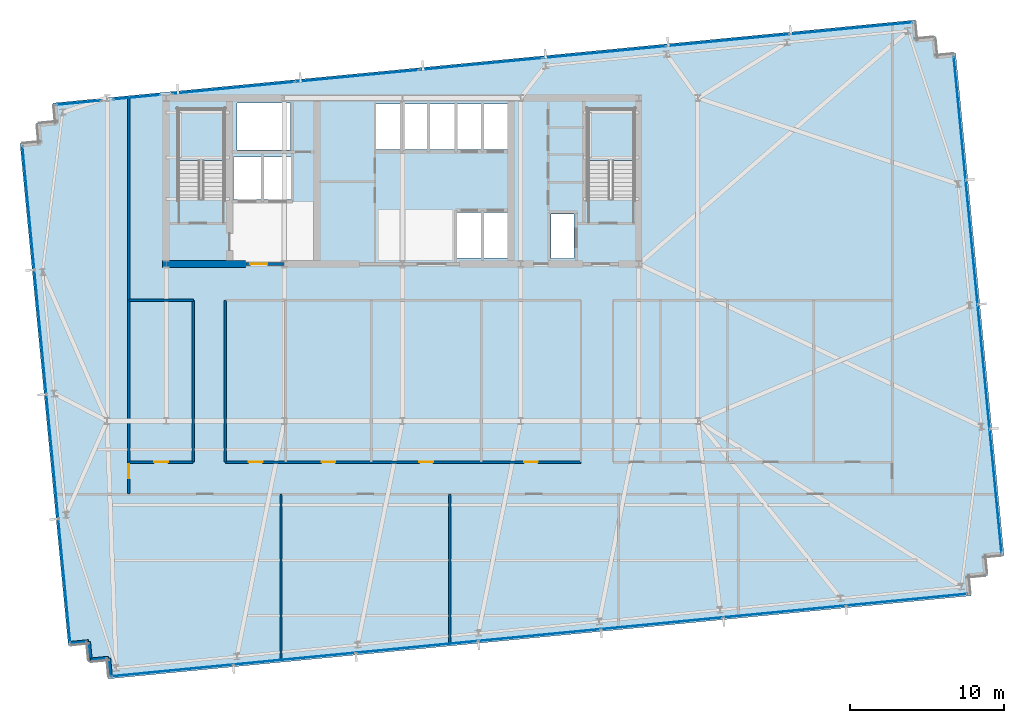
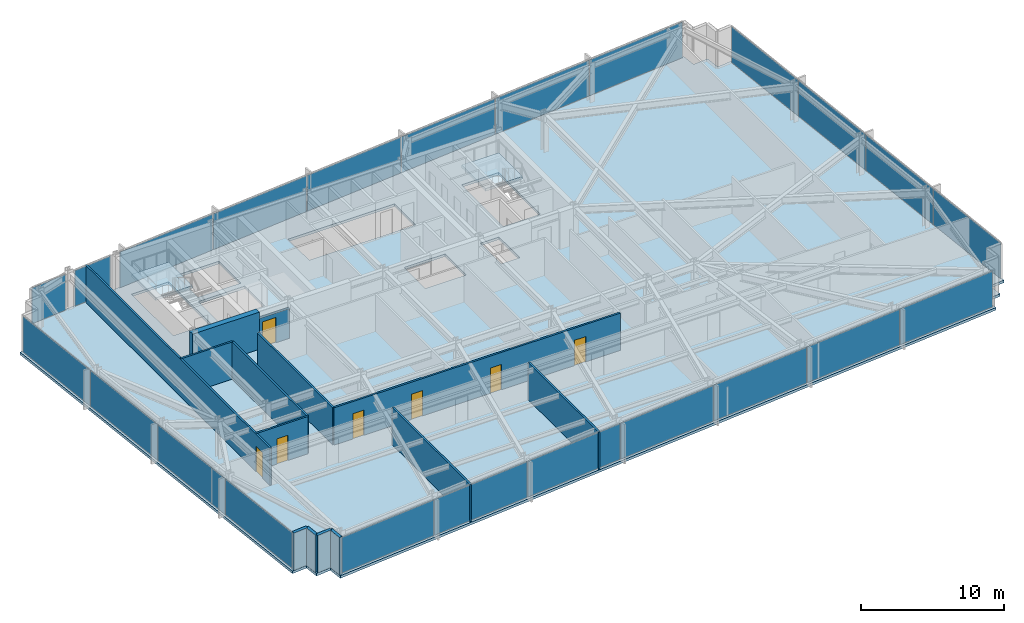
# One storey, part 24 of 33: 23 plates, 14 walls, 7 doors, 3 slabs, 7 openings, 8 elements without a shape of their own.
"""IFC4 building model written with IfcOpenShell, lengths in metres."""

from ifc_helpers import new_model, si_unit, direction, frame, frame_2d, origin, origin_2d, place, context, subcontext, project, spatial, polyline, rectangle, outline, extrude, material, layer, layer_set, type_object, element, fill, aggregate, save


model = new_model("IFC4")

# Units and contexts
model_context = context("Model", 3, precision=1e-05, world=origin(), true_north=direction((0.0, 1.0)))
body_context = subcontext(model_context, "Body", "Model", "MODEL_VIEW")
ifc_project = project(units=[si_unit("LENGTHUNIT", "METRE"), si_unit("AREAUNIT", "SQUARE_METRE"), si_unit("VOLUMEUNIT", "CUBIC_METRE"), si_unit("PLANEANGLEUNIT", "RADIAN"), si_unit("MASSUNIT", "GRAM", prefix="KILO")], contexts=[model_context])

# Site, building, storey
site_placement = place(None, origin())
site = spatial("IfcSite", under=ifc_project, at=site_placement, CompositionType="ELEMENT")
building_placement = place(site_placement, origin())
building = spatial("IfcBuilding", under=site, at=building_placement, Name="Yelkora Congress Tower", CompositionType="ELEMENT")
storey_placement = place(building_placement, frame((0.0, 0.0, 123.699951171875)))
storey = spatial("IfcBuildingStorey", under=building, at=storey_placement, Name="L33", CompositionType="ELEMENT", Elevation=123.699951171875)

# Curtain wall, plates
ifc_material_1 = material(Name="Anodised aluminium and insulated glass", Category="aluminium")
curtain_wall_type = type_object("IfcCurtainWallType", Name="CW-SYS-B2", PredefinedType="NOTDEFINED", material=ifc_material_1)
curtain_wall_1_placement = place(storey_placement, origin())
curtain_wall_1 = element("IfcCurtainWall", 1, at=curtain_wall_1_placement, inside=storey, type_object=curtain_wall_type, Name="L33 Unitised Curtain Wall 5", PredefinedType="NOTDEFINED")
ifc_material_2 = material(Name="Solar-control low-E glass unit B2", Category="glass")
ifc_layer_1 = layer(ifc_material_2, 0.0380859375)
ifc_layer_set_1 = layer_set([ifc_layer_1], Name="Solar-control low-E glass unit B2")
plate_type = type_object("IfcPlateType", Name="PLT-PN-B2", PredefinedType="CURTAIN_PANEL", material=ifc_layer_set_1)
plate_1_placement = place(storey_placement, frame((16.41650390625, 14.820068359375, 0.06494140625), z_axis=(0.0, 0.0, 1.0), x_axis=(-0.095842541913, 0.995396507508, 0.0)))
plate_1 = element("IfcPlate", 2, at=plate_1_placement, type_object=plate_type, Name="CW-B2 panel 1.1", PredefinedType="CURTAIN_PANEL", context=body_context, shape_type="SweptSolid", body=[
    extrude(rectangle(XDim=8.02490234375, YDim=0.0380859375, at=origin_2d()), origin(), (0.0, 0.0, 1.0), 3.050048828125),
])
plate_2_placement = place(storey_placement, frame((15.638916015625, 22.895263671875, 0.06494140625), z_axis=(0.0, 0.0, 1.0), x_axis=(-0.095842541913, 0.995396507508, 0.0)))
plate_2 = element("IfcPlate", 3, at=plate_2_placement, type_object=plate_type, Name="CW-B2 panel 2.1", PredefinedType="CURTAIN_PANEL", context=body_context, shape_type="SweptSolid", body=[
    extrude(rectangle(XDim=8.06005859375, YDim=0.0380859375, at=origin_2d()), origin(), (0.0, 0.0, 1.0), 3.050048828125),
])
plate_3_placement = place(storey_placement, frame((14.859619140625, 30.98779296875, 0.06494140625), z_axis=(0.0, 0.0, 1.0), x_axis=(-0.095842541913, 0.995396507508, 0.0)))
plate_3 = element("IfcPlate", 4, at=plate_3_placement, type_object=plate_type, Name="CW-B2 panel 3.1", PredefinedType="CURTAIN_PANEL", context=body_context, shape_type="SweptSolid", body=[
    extrude(rectangle(XDim=8.06005859375, YDim=0.0380859375, at=origin_2d()), origin(), (0.0, 0.0, 1.0), 3.050048828125),
])
plate_4_placement = place(storey_placement, frame((14.082275390625, 39.06298828125, 0.06494140625), z_axis=(0.0, 0.0, 1.0), x_axis=(-0.095842541913, 0.995396507508, 0.0)))
plate_4 = element("IfcPlate", 5, at=plate_4_placement, type_object=plate_type, Name="CW-B2 panel 4.1", PredefinedType="CURTAIN_PANEL", context=body_context, shape_type="SweptSolid", body=[
    extrude(rectangle(XDim=8.02490234375, YDim=0.0380859375, at=origin_2d()), origin(), (0.0, 0.0, 1.0), 3.050048828125),
])
aggregate(curtain_wall_1, [plate_1, plate_2, plate_3, plate_4])

# Curtain wall, plate
curtain_wall_2_placement = place(storey_placement, origin())
curtain_wall_2 = element("IfcCurtainWall", 6, at=curtain_wall_2_placement, inside=storey, type_object=curtain_wall_type, Name="L33 Unitised Curtain Wall 10 (1)", PredefinedType="NOTDEFINED")
plate_5_placement = place(storey_placement, frame((17.35888671875, 45.89111328125, 0.06494140625), z_axis=(0.0, 0.0, 1.0), x_axis=(0.99539681521, 0.095839346142, 0.0)))
plate_5 = element("IfcPlate", 7, at=plate_5_placement, type_object=plate_type, Name="CW-B2 panel 1.1", PredefinedType="CURTAIN_PANEL", context=body_context, shape_type="SweptSolid", body=[
    extrude(rectangle(XDim=2.89208984375, YDim=0.0380859375, at=origin_2d()), origin(), (0.0, 0.0, 1.0), 3.050048828125),
])
aggregate(curtain_wall_2, [plate_5])

curtain_wall_3_placement = place(storey_placement, origin())
curtain_wall_3 = element("IfcCurtainWall", 8, at=curtain_wall_3_placement, inside=storey, type_object=curtain_wall_type, Name="L33 Unitised Curtain Wall 10 (2)", PredefinedType="NOTDEFINED")
plate_6_placement = place(storey_placement, frame((21.1201171875, 46.253173828125, 0.06494140625), z_axis=(0.0, 0.0, 1.0), x_axis=(0.99539661748, 0.095841399764, 0.0)))
plate_6 = element("IfcPlate", 9, at=plate_6_placement, type_object=plate_type, Name="CW-B2 panel 1.1", PredefinedType="CURTAIN_PANEL", context=body_context, shape_type="SweptSolid", body=[
    extrude(rectangle(XDim=3.05078125, YDim=0.0380859375, at=origin_2d()), origin(), (0.0, 0.0, 1.0), 3.050048828125),
])
aggregate(curtain_wall_3, [plate_6])

# Curtain wall, plates
curtain_wall_4_placement = place(storey_placement, origin())
curtain_wall_4 = element("IfcCurtainWall", 10, at=curtain_wall_4_placement, inside=storey, type_object=curtain_wall_type, Name="L33 Unitised Curtain Wall 10 (3)", PredefinedType="NOTDEFINED")
plate_7_placement = place(storey_placement, frame((27.409423828125, 46.858642578125, 0.06494140625), z_axis=(0.0, 0.0, 1.0), x_axis=(0.995396344153, 0.095844238468, 0.0)))
plate_7 = element("IfcPlate", 11, at=plate_7_placement, type_object=plate_type, Name="CW-B2 panel 1.1", PredefinedType="CURTAIN_PANEL", context=body_context, shape_type="SweptSolid", body=[
    extrude(rectangle(XDim=7.97216796875, YDim=0.0380859375, at=origin_2d()), origin(), (0.0, 0.0, 1.0), 3.050048828125),
])
plate_8_placement = place(storey_placement, frame((35.431884765625, 47.631103515625, 0.06494140625), z_axis=(0.0, 0.0, 1.0), x_axis=(0.995396344153, 0.095844238468, 0.0)))
plate_8 = element("IfcPlate", 12, at=plate_8_placement, type_object=plate_type, Name="CW-B2 panel 2.1", PredefinedType="CURTAIN_PANEL", context=body_context, shape_type="SweptSolid", body=[
    extrude(rectangle(XDim=8.007080078125, YDim=0.0380859375, at=origin_2d()), origin(), (0.0, 0.0, 1.0), 3.050048828125),
])
plate_9_placement = place(storey_placement, frame((43.471923828125, 48.4052734375, 0.06494140625), z_axis=(0.0, 0.0, 1.0), x_axis=(0.995396344153, 0.095844238468, 0.0)))
plate_9 = element("IfcPlate", 13, at=plate_9_placement, type_object=plate_type, Name="CW-B2 panel 3.1", PredefinedType="CURTAIN_PANEL", context=body_context, shape_type="SweptSolid", body=[
    extrude(rectangle(XDim=8.007080078125, YDim=0.0380859375, at=origin_2d()), origin(), (0.0, 0.0, 1.0), 3.050048828125),
])
plate_10_placement = place(storey_placement, frame((51.511962890625, 49.179443359375, 0.06494140625), z_axis=(0.0, 0.0, 1.0), x_axis=(0.995396344153, 0.095844238468, 0.0)))
plate_10 = element("IfcPlate", 14, at=plate_10_placement, type_object=plate_type, Name="CW-B2 panel 4.1", PredefinedType="CURTAIN_PANEL", context=body_context, shape_type="SweptSolid", body=[
    extrude(rectangle(XDim=8.007080078125, YDim=0.0380859375, at=origin_2d()), origin(), (0.0, 0.0, 1.0), 3.050048828125),
])
plate_11_placement = place(storey_placement, frame((59.552001953125, 49.95361328125, 0.06494140625), z_axis=(0.0, 0.0, 1.0), x_axis=(0.995396344153, 0.095844238468, 0.0)))
plate_11 = element("IfcPlate", 15, at=plate_11_placement, type_object=plate_type, Name="CW-B2 panel 5.1", PredefinedType="CURTAIN_PANEL", context=body_context, shape_type="SweptSolid", body=[
    extrude(rectangle(XDim=8.007080078125, YDim=0.0380859375, at=origin_2d()), origin(), (0.0, 0.0, 1.0), 3.050048828125),
])
plate_12_placement = place(storey_placement, frame((67.574462890625, 50.72607421875, 0.06494140625), z_axis=(0.0, 0.0, 1.0), x_axis=(0.995396344153, 0.095844238468, 0.0)))
plate_12 = element("IfcPlate", 16, at=plate_12_placement, type_object=plate_type, Name="CW-B2 panel 6.1", PredefinedType="CURTAIN_PANEL", context=body_context, shape_type="SweptSolid", body=[
    extrude(rectangle(XDim=7.97216796875, YDim=0.0380859375, at=origin_2d()), origin(), (0.0, 0.0, 1.0), 3.050048828125),
])
aggregate(curtain_wall_4, [plate_7, plate_8, plate_9, plate_10, plate_11, plate_12])

curtain_wall_5_placement = place(storey_placement, origin())
curtain_wall_5 = element("IfcCurtainWall", 17, at=curtain_wall_5_placement, inside=storey, type_object=curtain_wall_type, Name="L33 Unitised Curtain Wall 15", PredefinedType="NOTDEFINED")
plate_13_placement = place(storey_placement, frame((74.6220703125, 44.892333984375, 0.06494140625), z_axis=(0.0, 0.0, 1.0), x_axis=(0.095842541913, -0.995396507508, 0.0)))
plate_13 = element("IfcPlate", 18, at=plate_13_placement, type_object=plate_type, Name="CW-B2 panel 1.1", PredefinedType="CURTAIN_PANEL", context=body_context, shape_type="SweptSolid", body=[
    extrude(rectangle(XDim=8.02490234375, YDim=0.0380859375, at=origin_2d()), origin(), (0.0, 0.0, 1.0), 3.050048828125),
])
plate_14_placement = place(storey_placement, frame((75.399658203125, 36.817138671875, 0.06494140625), z_axis=(0.0, 0.0, 1.0), x_axis=(0.095842541913, -0.995396507508, 0.0)))
plate_14 = element("IfcPlate", 19, at=plate_14_placement, type_object=plate_type, Name="CW-B2 panel 2.1", PredefinedType="CURTAIN_PANEL", context=body_context, shape_type="SweptSolid", body=[
    extrude(rectangle(XDim=8.06005859375, YDim=0.0380859375, at=origin_2d()), origin(), (0.0, 0.0, 1.0), 3.050048828125),
])
plate_15_placement = place(storey_placement, frame((76.178955078125, 28.724609375, 0.06494140625), z_axis=(0.0, 0.0, 1.0), x_axis=(0.095842541913, -0.995396507508, 0.0)))
plate_15 = element("IfcPlate", 20, at=plate_15_placement, type_object=plate_type, Name="CW-B2 panel 3.1", PredefinedType="CURTAIN_PANEL", context=body_context, shape_type="SweptSolid", body=[
    extrude(rectangle(XDim=8.06005859375, YDim=0.0380859375, at=origin_2d()), origin(), (0.0, 0.0, 1.0), 3.050048828125),
])
plate_16_placement = place(storey_placement, frame((76.95654296875, 20.6494140625, 0.06494140625), z_axis=(0.0, 0.0, 1.0), x_axis=(0.095842541913, -0.995396507508, 0.0)))
plate_16 = element("IfcPlate", 21, at=plate_16_placement, type_object=plate_type, Name="CW-B2 panel 4.1", PredefinedType="CURTAIN_PANEL", context=body_context, shape_type="SweptSolid", body=[
    extrude(rectangle(XDim=8.02490234375, YDim=0.0380859375, at=origin_2d()), origin(), (0.0, 0.0, 1.0), 3.050048828125),
])
aggregate(curtain_wall_5, [plate_13, plate_14, plate_15, plate_16])

curtain_wall_6_placement = place(storey_placement, origin())
curtain_wall_6 = element("IfcCurtainWall", 22, at=curtain_wall_6_placement, inside=storey, type_object=curtain_wall_type, Name="L33 Unitised Curtain Wall 20", PredefinedType="NOTDEFINED")
plate_17_placement = place(storey_placement, frame((71.1884765625, 13.58154296875, 0.06494140625), z_axis=(0.0, 0.0, 1.0), x_axis=(-0.995396333816, -0.095844345816, 0.0)))
plate_17 = element("IfcPlate", 23, at=plate_17_placement, type_object=plate_type, Name="CW-B2 panel 1.1", PredefinedType="CURTAIN_PANEL", context=body_context, shape_type="SweptSolid", body=[
    extrude(rectangle(XDim=7.89794921875, YDim=0.0380859375, at=origin_2d()), origin(), (0.0, 0.0, 1.0), 3.050048828125),
])
plate_18_placement = place(storey_placement, frame((63.23974609375, 12.816162109375, 0.06494140625), z_axis=(0.0, 0.0, 1.0), x_axis=(-0.995396333816, -0.095844345816, 0.0)))
plate_18 = element("IfcPlate", 24, at=plate_18_placement, type_object=plate_type, Name="CW-B2 panel 2.1", PredefinedType="CURTAIN_PANEL", context=body_context, shape_type="SweptSolid", body=[
    extrude(rectangle(XDim=7.932861328125, YDim=0.0380859375, at=origin_2d()), origin(), (0.0, 0.0, 1.0), 3.050048828125),
])
plate_19_placement = place(storey_placement, frame((55.273681640625, 12.049072265625, 0.06494140625), z_axis=(0.0, 0.0, 1.0), x_axis=(-0.995396333816, -0.095844345816, 0.0)))
plate_19 = element("IfcPlate", 25, at=plate_19_placement, type_object=plate_type, Name="CW-B2 panel 3.1", PredefinedType="CURTAIN_PANEL", context=body_context, shape_type="SweptSolid", body=[
    extrude(rectangle(XDim=7.932861328125, YDim=0.0380859375, at=origin_2d()), origin(), (0.0, 0.0, 1.0), 3.050048828125),
])
plate_20_placement = place(storey_placement, frame((47.307861328125, 11.281982421875, 0.06494140625), z_axis=(0.0, 0.0, 1.0), x_axis=(-0.995396333816, -0.095844345816, 0.0)))
plate_20 = element("IfcPlate", 26, at=plate_20_placement, type_object=plate_type, Name="CW-B2 panel 4.1", PredefinedType="CURTAIN_PANEL", context=body_context, shape_type="SweptSolid", body=[
    extrude(rectangle(XDim=7.932861328125, YDim=0.0380859375, at=origin_2d()), origin(), (0.0, 0.0, 1.0), 3.050048828125),
])
plate_21_placement = place(storey_placement, frame((39.341796875, 10.51513671875, 0.06494140625), z_axis=(0.0, 0.0, 1.0), x_axis=(-0.995396333816, -0.095844345816, 0.0)))
plate_21 = element("IfcPlate", 27, at=plate_21_placement, type_object=plate_type, Name="CW-B2 panel 5.1", PredefinedType="CURTAIN_PANEL", context=body_context, shape_type="SweptSolid", body=[
    extrude(rectangle(XDim=7.932861328125, YDim=0.0380859375, at=origin_2d()), origin(), (0.0, 0.0, 1.0), 3.050048828125),
])
plate_22_placement = place(storey_placement, frame((31.375732421875, 9.748046875, 0.06494140625), z_axis=(0.0, 0.0, 1.0), x_axis=(-0.995396333816, -0.095844345816, 0.0)))
plate_22 = element("IfcPlate", 28, at=plate_22_placement, type_object=plate_type, Name="CW-B2 panel 6.1", PredefinedType="CURTAIN_PANEL", context=body_context, shape_type="SweptSolid", body=[
    extrude(rectangle(XDim=7.932861328125, YDim=0.0380859375, at=origin_2d()), origin(), (0.0, 0.0, 1.0), 3.050048828125),
])
plate_23_placement = place(storey_placement, frame((23.42724609375, 8.982666015625, 0.06494140625), z_axis=(0.0, 0.0, 1.0), x_axis=(-0.995396333816, -0.095844345816, 0.0)))
plate_23 = element("IfcPlate", 29, at=plate_23_placement, type_object=plate_type, Name="CW-B2 panel 7.1", PredefinedType="CURTAIN_PANEL", context=body_context, shape_type="SweptSolid", body=[
    extrude(rectangle(XDim=7.89794921875, YDim=0.0380859375, at=origin_2d()), origin(), (0.0, 0.0, 1.0), 3.050048828125),
])
aggregate(curtain_wall_6, [plate_17, plate_18, plate_19, plate_20, plate_21, plate_22, plate_23])

# Stair, slab
ifc_material_3 = material(Name="Concrete C40/50", Category="concrete")
stair_type = type_object("IfcStairType", Name="STAIR-HT-1420-R20-170", PredefinedType="HALF_TURN_STAIR", material=ifc_material_3)
stair_1_placement = place(storey_placement, origin())
stair_1 = element("IfcStair", 30, at=stair_1_placement, inside=storey, type_object=stair_type, Name="West Core Protected Exit Stair ST-01 (L33)", PredefinedType="HALF_TURN_STAIR")
ifc_layer_2 = layer(ifc_material_3, 0.219970703125)
ifc_layer_set_2 = layer_set([ifc_layer_2], Name="Concrete C40/50")
slab_type_1 = type_object("IfcSlabType", Name="SLAB-LANDING-220", PredefinedType="LANDING", material=ifc_layer_set_2)
slab_1_placement = place(storey_placement, frame((0.0, 0.0, 1.47998046875)))
slab_1 = element("IfcSlab", 31, at=slab_1_placement, type_object=slab_type_1, Name="ST-01 L33 Half Landing 1", PredefinedType="LANDING", context=body_context, shape_type="SweptSolid", body=[
    extrude(outline(polyline([(26.820068359375, 42.1201171875), (26.820068359375, 45.469970703125), (23.820068359375, 45.469970703125), (23.820068359375, 42.1201171875), (26.820068359375, 42.1201171875)])), origin(), (0.0, 0.0, 1.0), 0.219970703125),
])
aggregate(stair_1, [slab_1])

stair_2_placement = place(storey_placement, origin())
stair_2 = element("IfcStair", 32, at=stair_2_placement, inside=storey, type_object=stair_type, Name="East Core Protected Exit Stair ST-02 (L33)", PredefinedType="HALF_TURN_STAIR")
slab_2_placement = place(storey_placement, frame((0.0, 0.0, 1.47998046875)))
slab_2 = element("IfcSlab", 33, at=slab_2_placement, type_object=slab_type_1, Name="ST-02 L33 Half Landing 1", PredefinedType="LANDING", context=body_context, shape_type="SweptSolid", body=[
    extrude(outline(polyline([(53.4599609375, 42.1201171875), (53.4599609375, 45.469970703125), (50.4599609375, 45.469970703125), (50.4599609375, 42.1201171875), (53.4599609375, 42.1201171875)])), origin(), (0.0, 0.0, 1.0), 0.219970703125),
])
aggregate(stair_2, [slab_2])

# Slab
ifc_layer_3 = layer(ifc_material_3, 0.219970703125)
ifc_layer_set_3 = layer_set([ifc_layer_3], Name="Concrete C40/50")
slab_type_2 = type_object("IfcSlabType", Name="SLAB-TWR-220", PredefinedType="FLOOR", material=ifc_layer_set_3)
slab_3_placement = place(storey_placement, frame((0.0, 0.0, -0.219970703125)))
element("IfcSlab", 34, at=slab_3_placement, inside=storey, type_object=slab_type_2, Name="L33 Structural Floor Slab", PredefinedType="FLOOR", context=body_context, shape_type="SweptSolid", body=[
    extrude(outline(polyline([(19.30078125, 8.444580078125), (75.341552734375, 13.8408203125), (75.2265625, 15.035400390625), (76.421142578125, 15.150390625), (76.30615234375, 16.3447265625), (77.50048828125, 16.459716796875), (74.356689453125, 49.10888671875), (73.162353515625, 48.99365234375), (73.04736328125, 50.188232421875), (71.852783203125, 50.0732421875), (71.73779296875, 51.267578125), (15.697021484375, 45.87158203125), (15.81201171875, 44.677001953125), (14.61767578125, 44.56201171875), (14.732666015625, 43.36767578125), (13.5380859375, 43.252685546875), (16.681884765625, 10.603515625), (17.876220703125, 10.718505859375), (17.9912109375, 9.524169921875), (19.185791015625, 9.63916015625), (19.30078125, 8.444580078125)]), holes=[polyline([(23.820068359375, 39.6298828125), (26.820068359375, 39.6298828125), (26.820068359375, 45.469970703125), (23.820068359375, 45.469970703125), (23.820068359375, 39.6298828125)]), polyline([(50.4599609375, 39.6298828125), (53.4599609375, 39.6298828125), (53.4599609375, 45.469970703125), (50.4599609375, 45.469970703125), (50.4599609375, 39.6298828125)]), polyline([(48.050048828125, 35.75), (49.550048828125, 35.75), (49.550048828125, 38.64990234375), (48.050048828125, 38.64990234375), (48.050048828125, 35.75)]), polyline([(36.64990234375, 42.85009765625), (45.25, 42.85009765625), (45.25, 45.800048828125), (36.64990234375, 45.800048828125), (36.64990234375, 42.85009765625)]), polyline([(41.949951171875, 35.800048828125), (45.25, 35.800048828125), (45.25, 38.75), (41.949951171875, 38.75), (41.949951171875, 35.800048828125)]), polyline([(27.419921875, 39.60009765625), (31.179931640625, 39.60009765625), (31.179931640625, 42.35009765625), (27.419921875, 42.35009765625), (27.419921875, 39.60009765625)]), polyline([(27.64990234375, 42.820068359375), (31.1201171875, 42.820068359375), (31.1201171875, 45.8798828125), (27.64990234375, 45.8798828125), (27.64990234375, 42.820068359375)])]), origin(), (0.0, 0.0, 1.0), 0.219970703125),
])

# Walls
ifc_material_4 = material(Name="Concrete C60/75", Category="concrete")
ifc_layer_4 = layer(ifc_material_4, 0.449951171875)
ifc_layer_set_4 = layer_set([ifc_layer_4], Name="Concrete C60/75")
wall_type_1 = type_object("IfcWallType", Name="WALL-CORE-INT-450", PredefinedType="SHEAR", material=ifc_layer_set_4)
wall_1_placement = place(storey_placement, frame((22.81494140625, 35.39990234375, 0.0), z_axis=(0.0, 0.0, 1.0), x_axis=(1.0, 0.0, 0.0)))
element("IfcWall", 35, at=wall_1_placement, inside=storey, type_object=wall_type_1, Name="L33 Rear Core South-West Shear Wall", PredefinedType="SHEAR", context=body_context, shape_type="SweptSolid", body=[
    extrude(rectangle(XDim=5.385009765625, YDim=0.449951171875, at=frame_2d((2.6923828125, 0.0))), origin(), (0.0, 0.0, 1.0), 3.179931640625),
])
ifc_layer_5 = layer(ifc_material_3, 0.239990234375)
ifc_layer_set_5 = layer_set([ifc_layer_5], Name="Concrete C40/50")
wall_type_2 = type_object("IfcWallType", Name="WALL-EXT-LIMESTONE-240", PredefinedType="SOLIDWALL", material=ifc_layer_set_5)
for number, where, z_axis, x_axis, name in (
    (36, (19.4267578125, 8.597412109375, 0.0), (0.0, 0.0, 1.0), (-0.095817067274, 0.995398960025, 0.0), "L33 Serrated Corner Limestone Pier 1"),
    (37, (19.311767578125, 9.7919921875, 0.0), (0.0, 0.0, 1.0), (-0.995398960025, -0.095817067274, 0.0), "L33 Serrated Corner Limestone Pier 2"),
):
    element("IfcWall", number, at=place(storey_placement, frame(where, z_axis=z_axis, x_axis=x_axis)), inside=storey, type_object=wall_type_2, Name=name, PredefinedType="SOLIDWALL", context=body_context, shape_type="SweptSolid", body=[
        extrude(rectangle(XDim=1.2001953125, YDim=0.239990234375, at=frame_2d((0.60009765625, 0.0))), origin(), (0.0, 0.0, 1.0), 3.179931640625),
    ])
wall_2_placement = place(storey_placement, frame((18.1171875, 9.677001953125, 0.0), z_axis=(0.0, 0.0, 1.0), x_axis=(-0.095836473879, 0.995397091755, 0.0)))
element("IfcWall", 38, at=wall_2_placement, inside=storey, type_object=wall_type_2, Name="L33 Serrated Corner Limestone Pier 3", PredefinedType="SOLIDWALL", context=body_context, shape_type="SweptSolid", body=[
    extrude(rectangle(XDim=1.199951171875, YDim=0.239990234375, at=frame_2d((0.60009765625, 0.0))), origin(), (0.0, 0.0, 1.0), 3.179931640625),
])
wall_3_placement = place(storey_placement, frame((18.002197265625, 10.871337890625, 0.0), z_axis=(0.0, 0.0, 1.0), x_axis=(-0.995398960025, -0.095817067274, 0.0)))
element("IfcWall", 39, at=wall_3_placement, inside=storey, type_object=wall_type_2, Name="L33 Serrated Corner Limestone Pier 4", PredefinedType="SOLIDWALL", context=body_context, shape_type="SweptSolid", body=[
    extrude(rectangle(XDim=1.2001953125, YDim=0.239990234375, at=frame_2d((0.60009765625, 0.0))), origin(), (0.0, 0.0, 1.0), 3.179931640625),
])
ifc_material_5 = material(Name="Acoustic metal-stud gypsum partition", Category="gypsum")
ifc_layer_6 = layer(ifc_material_5, 0.14990234375)
ifc_layer_set_6 = layer_set([ifc_layer_6], Name="Acoustic metal-stud gypsum partition")
wall_type_3 = type_object("IfcWallType", Name="WALL-INT-150-NR", PredefinedType="PARTITIONING", material=ifc_layer_set_6)
wall_4_placement = place(storey_placement, frame((30.5009765625, 9.603515625, 0.0), z_axis=(0.0, 0.0, 1.0), x_axis=(0.0, 1.0, 0.0)))
element("IfcWall", 40, at=wall_4_placement, inside=storey, type_object=wall_type_3, Name="L33 Partition Wall 28", PredefinedType="PARTITIONING", context=body_context, shape_type="SweptSolid", body=[
    extrude(rectangle(XDim=10.866455078125, YDim=0.14990234375, at=frame_2d((5.43310546875, 0.0))), origin(), (0.0, 0.0, 1.0), 3.179931640625),
])
wall_5_placement = place(storey_placement, frame((41.47509765625, 10.66015625, 0.0), z_axis=(0.0, 0.0, 1.0), x_axis=(0.0, 1.0, 0.0)))
element("IfcWall", 41, at=wall_5_placement, inside=storey, type_object=wall_type_3, Name="L33 Partition Wall 29", PredefinedType="PARTITIONING", context=body_context, shape_type="SweptSolid", body=[
    extrude(rectangle(XDim=9.809814453125, YDim=0.14990234375, at=frame_2d((4.90478515625, 0.0))), origin(), (0.0, 0.0, 1.0), 3.179931640625),
])

# Wall, opening, door
wall_6_placement = place(storey_placement, frame((20.614013671875, 20.449951171875, 0.0), z_axis=(0.0, 0.0, 1.0), x_axis=(0.0, 1.0, 0.0)))
wall_6 = element("IfcWall", 42, at=wall_6_placement, inside=storey, type_object=wall_type_3, Name="L33 Partition Wall 33", PredefinedType="PARTITIONING", context=body_context, shape_type="SweptSolid", body=[
    extrude(rectangle(XDim=25.814697265625, YDim=0.14990234375, at=frame_2d((12.9072265625, 0.0))), origin(), (0.0, 0.0, 1.0), 3.179931640625),
])
opening_1_placement = place(wall_6_placement, frame((1.030029296875, 0.0, 0.0)))
opening_1 = element("IfcOpeningElement", 43, at=opening_1_placement, cuts=wall_6, Name="Opening DR-090N", PredefinedType="OPENING", context=body_context, shape_type="SweptSolid", body=[
    extrude(rectangle(XDim=0.89990234375, YDim=2.14990234375, at=frame_2d((0.449951171875, 1.074951171875))), frame((0.0, 0.0849609375, 0.0), z_axis=(0.0, -1.0, 0.0), x_axis=(1.0, 0.0, 0.0)), (0.0, 0.0, 1.0), 0.169921875),
])
ifc_material_6 = material(Name="Moisture-resistant laminate door leaf", Category="wood")
door_type_1 = type_object("IfcDoorType", Name="DOOR-INT-900", OperationType="NOTDEFINED", PredefinedType="DOOR", material=ifc_material_6)
door_1_placement = place(opening_1_placement, origin())
door_1 = element("IfcDoor", 44, at=door_1_placement, inside=storey, type_object=door_type_1, Name="L33 W Wing Door", OperationType="SINGLE_SWING_LEFT", OverallHeight=2.14990234375, OverallWidth=0.89990234375, PredefinedType="DOOR", context=body_context, shape_type="SweptSolid", body=[
    extrude(rectangle(XDim=0.89990234375, YDim=2.14990234375, at=frame_2d((0.449951171875, 1.074951171875))), frame((0.0, 0.02490234375, 0.0), z_axis=(0.0, -1.0, 0.0), x_axis=(1.0, 0.0, 0.0)), (0.0, 0.0, 1.0), 0.050048828125),
])
fill(opening_1, door_1)

# Walls
for number, where, z_axis, x_axis, name in (
    (45, (24.800048828125, 22.530029296875, 0.0), (0.0, 0.0, 1.0), (0.0, 1.0, 0.0), "L33 Partition Wall 35"),
    (46, (26.8798828125, 22.530029296875, 0.0), (0.0, 0.0, 1.0), (0.0, 1.0, 0.0), "L33 Partition Wall 36"),
):
    element("IfcWall", number, at=place(storey_placement, frame(where, z_axis=z_axis, x_axis=x_axis)), inside=storey, type_object=wall_type_3, Name=name, PredefinedType="PARTITIONING", context=body_context, shape_type="SweptSolid", body=[
        extrude(rectangle(XDim=10.52001953125, YDim=0.14990234375, at=frame_2d((5.260009765625, 0.0))), origin(), (0.0, 0.0, 1.0), 3.179931640625),
    ])
wall_7_placement = place(storey_placement, frame((20.614013671875, 33.050048828125, 0.0), z_axis=(0.0, 0.0, 1.0), x_axis=(1.0, 0.0, 0.0)))
element("IfcWall", 47, at=wall_7_placement, inside=storey, type_object=wall_type_3, Name="L33 Partition Wall 39", PredefinedType="PARTITIONING", context=body_context, shape_type="SweptSolid", body=[
    extrude(rectangle(XDim=4.18603515625, YDim=0.14990234375, at=frame_2d((2.093017578125, 0.0))), origin(), (0.0, 0.0, 1.0), 3.179931640625),
])

# Wall, opening, door
wall_8_placement = place(storey_placement, frame((20.634033203125, 22.530029296875, 0.0), z_axis=(0.0, 0.0, 1.0), x_axis=(1.0, 0.0, 0.0)))
wall_8 = element("IfcWall", 48, at=wall_8_placement, inside=storey, type_object=wall_type_3, Name="L33 Partition Wall 42", PredefinedType="PARTITIONING", context=body_context, shape_type="SweptSolid", body=[
    extrude(rectangle(XDim=4.156005859375, YDim=0.14990234375, at=frame_2d((2.078125, 0.0))), origin(), (0.0, 0.0, 1.0), 3.179931640625),
])
opening_2_placement = place(wall_8_placement, frame((1.6279296875, 0.0, 0.0)))
opening_2 = element("IfcOpeningElement", 49, at=opening_2_placement, cuts=wall_8, Name="Opening DR-090N", PredefinedType="OPENING", context=body_context, shape_type="SweptSolid", body=[
    extrude(rectangle(XDim=0.89990234375, YDim=2.14990234375, at=frame_2d((0.449951171875, 1.074951171875))), frame((0.0, 0.0849609375, 0.0), z_axis=(0.0, -1.0, 0.0), x_axis=(1.0, 0.0, 0.0)), (0.0, 0.0, 1.0), 0.169921875),
])
door_2_placement = place(opening_2_placement, origin())
door_2 = element("IfcDoor", 50, at=door_2_placement, inside=storey, type_object=door_type_1, Name="L33 Seminar Briefing Room Door", OperationType="SINGLE_SWING_LEFT", OverallHeight=2.14990234375, OverallWidth=0.89990234375, PredefinedType="DOOR", context=body_context, shape_type="SweptSolid", body=[
    extrude(rectangle(XDim=0.89990234375, YDim=2.14990234375, at=frame_2d((0.449951171875, 1.074951171875))), frame((0.0, 0.02490234375, 0.0), z_axis=(0.0, -1.0, 0.0), x_axis=(1.0, 0.0, 0.0)), (0.0, 0.0, 1.0), 0.050048828125),
])
fill(opening_2, door_2)

# Wall, openings, doors
wall_9_placement = place(storey_placement, frame((26.889892578125, 22.530029296875, 0.0), z_axis=(0.0, 0.0, 1.0), x_axis=(1.0, 0.0, 0.0)))
wall_9 = element("IfcWall", 51, at=wall_9_placement, inside=storey, type_object=wall_type_3, Name="L33 Partition Wall 46", PredefinedType="PARTITIONING", context=body_context, shape_type="SweptSolid", body=[
    extrude(rectangle(XDim=23.10009765625, YDim=0.14990234375, at=frame_2d((11.550048828125, 0.0))), origin(), (0.0, 0.0, 1.0), 3.179931640625),
])
opening_3_placement = place(wall_9_placement, frame((1.513427734375, 0.0, 0.0)))
opening_3 = element("IfcOpeningElement", 52, at=opening_3_placement, cuts=wall_9, Name="Opening DR-090N", PredefinedType="OPENING", context=body_context, shape_type="SweptSolid", body=[
    extrude(rectangle(XDim=0.89990234375, YDim=2.14990234375, at=frame_2d((0.449951171875, 1.074951171875))), frame((0.0, 0.0849609375, 0.0), z_axis=(0.0, -1.0, 0.0), x_axis=(1.0, 0.0, 0.0)), (0.0, 0.0, 1.0), 0.169921875),
])
opening_4_placement = place(wall_9_placement, frame((6.2490234375, 0.0, 0.0)))
opening_4 = element("IfcOpeningElement", 53, at=opening_4_placement, cuts=wall_9, Name="Opening DR-090N", PredefinedType="OPENING", context=body_context, shape_type="SweptSolid", body=[
    extrude(rectangle(XDim=0.89990234375, YDim=2.14990234375, at=frame_2d((0.449951171875, 1.074951171875))), frame((0.0, 0.0849609375, 0.0), z_axis=(0.0, -1.0, 0.0), x_axis=(1.0, 0.0, 0.0)), (0.0, 0.0, 1.0), 0.169921875),
])
opening_5_placement = place(wall_9_placement, frame((12.6015625, 0.0, 0.0)))
opening_5 = element("IfcOpeningElement", 54, at=opening_5_placement, cuts=wall_9, Name="Opening DR-090N", PredefinedType="OPENING", context=body_context, shape_type="SweptSolid", body=[
    extrude(rectangle(XDim=0.89990234375, YDim=2.14990234375, at=frame_2d((0.449951171875, 1.074951171875))), frame((0.0, 0.0849609375, 0.0), z_axis=(0.0, -1.0, 0.0), x_axis=(1.0, 0.0, 0.0)), (0.0, 0.0, 1.0), 0.169921875),
])
opening_6_placement = place(wall_9_placement, frame((19.416015625, 0.0, 0.0)))
opening_6 = element("IfcOpeningElement", 55, at=opening_6_placement, cuts=wall_9, Name="Opening DR-090N", PredefinedType="OPENING", context=body_context, shape_type="SweptSolid", body=[
    extrude(rectangle(XDim=0.89990234375, YDim=2.14990234375, at=frame_2d((0.449951171875, 1.074951171875))), frame((0.0, 0.0849609375, 0.0), z_axis=(0.0, -1.0, 0.0), x_axis=(1.0, 0.0, 0.0)), (0.0, 0.0, 1.0), 0.169921875),
])
door_3_placement = place(opening_3_placement, origin())
door_3 = element("IfcDoor", 56, at=door_3_placement, inside=storey, type_object=door_type_1, Name="L33 Executive Study Office Door", OperationType="SINGLE_SWING_RIGHT", OverallHeight=2.14990234375, OverallWidth=0.89990234375, PredefinedType="DOOR", context=body_context, shape_type="SweptSolid", body=[
    extrude(rectangle(XDim=0.89990234375, YDim=2.14990234375, at=frame_2d((0.449951171875, 1.074951171875))), frame((0.0, 0.02490234375, 0.0), z_axis=(0.0, -1.0, 0.0), x_axis=(1.0, 0.0, 0.0)), (0.0, 0.0, 1.0), 0.050048828125),
])
fill(opening_3, door_3)
door_4_placement = place(opening_4_placement, origin())
door_4 = element("IfcDoor", 57, at=door_4_placement, inside=storey, type_object=door_type_1, Name="L33 Delegate Reading Lounge Door", OperationType="SINGLE_SWING_LEFT", OverallHeight=2.14990234375, OverallWidth=0.89990234375, PredefinedType="DOOR", context=body_context, shape_type="SweptSolid", body=[
    extrude(rectangle(XDim=0.89990234375, YDim=2.14990234375, at=frame_2d((0.449951171875, 1.074951171875))), frame((0.0, 0.02490234375, 0.0), z_axis=(0.0, -1.0, 0.0), x_axis=(1.0, 0.0, 0.0)), (0.0, 0.0, 1.0), 0.050048828125),
])
fill(opening_4, door_4)
door_5_placement = place(opening_5_placement, origin())
door_5 = element("IfcDoor", 58, at=door_5_placement, inside=storey, type_object=door_type_1, Name="L33 Seminar Briefing Room Door", OperationType="SINGLE_SWING_RIGHT", OverallHeight=2.14990234375, OverallWidth=0.89990234375, PredefinedType="DOOR", context=body_context, shape_type="SweptSolid", body=[
    extrude(rectangle(XDim=0.89990234375, YDim=2.14990234375, at=frame_2d((0.449951171875, 1.074951171875))), frame((0.0, 0.02490234375, 0.0), z_axis=(0.0, -1.0, 0.0), x_axis=(1.0, 0.0, 0.0)), (0.0, 0.0, 1.0), 0.050048828125),
])
fill(opening_5, door_5)
door_6_placement = place(opening_6_placement, origin())
door_6 = element("IfcDoor", 59, at=door_6_placement, inside=storey, type_object=door_type_1, Name="L33 Executive Study Office Door", OperationType="SINGLE_SWING_LEFT", OverallHeight=2.14990234375, OverallWidth=0.89990234375, PredefinedType="DOOR", context=body_context, shape_type="SweptSolid", body=[
    extrude(rectangle(XDim=0.89990234375, YDim=2.14990234375, at=frame_2d((0.449951171875, 1.074951171875))), frame((0.0, 0.02490234375, 0.0), z_axis=(0.0, -1.0, 0.0), x_axis=(1.0, 0.0, 0.0)), (0.0, 0.0, 1.0), 0.050048828125),
])
fill(opening_6, door_6)

# Wall, opening, door
ifc_material_7 = material(Name="Autoclaved aerated concrete blockwork", Category="masonry")
ifc_layer_7 = layer(ifc_material_7, 0.199951171875)
ifc_layer_set_7 = layer_set([ifc_layer_7], Name="Autoclaved aerated concrete blockwork")
wall_type_4 = type_object("IfcWallType", Name="WALL-INT-200-R120", PredefinedType="PARTITIONING", material=ifc_layer_set_7)
wall_10_placement = place(storey_placement, frame((28.219970703125, 35.39990234375, 0.0), z_axis=(0.0, 0.0, 1.0), x_axis=(1.0, 0.0, 0.0)))
wall_10 = element("IfcWall", 60, at=wall_10_placement, inside=storey, type_object=wall_type_4, Name="L33 Firefighting Lobby South Wall", PredefinedType="PARTITIONING", context=body_context, shape_type="SweptSolid", body=[
    extrude(rectangle(XDim=2.5, YDim=0.199951171875, at=frame_2d((1.25, 0.0))), origin(), (0.0, 0.0, 1.0), 2.525146484375),
])
opening_7_placement = place(wall_10_placement, frame((0.300048828125, 0.0, 0.0)))
opening_7 = element("IfcOpeningElement", 61, at=opening_7_placement, cuts=wall_10, Name="Opening DR-110F9", PredefinedType="OPENING", context=body_context, shape_type="SweptSolid", body=[
    extrude(rectangle(XDim=1.10009765625, YDim=2.14990234375, at=frame_2d((0.550048828125, 1.074951171875))), frame((0.0, 0.10986328125, 0.0), z_axis=(0.0, -1.0, 0.0), x_axis=(1.0, 0.0, 0.0)), (0.0, 0.0, 1.0), 0.219970703125),
])
ifc_material_8 = material(Name="Galvanised steel fire door leaf", Category="steel")
door_type_2 = type_object("IfcDoorType", Name="DOOR-FD90-1100", OperationType="NOTDEFINED", PredefinedType="DOOR", material=ifc_material_8)
door_7_placement = place(opening_7_placement, origin())
door_7 = element("IfcDoor", 62, at=door_7_placement, inside=storey, type_object=door_type_2, Name="L33 Firefighting Lobby Corridor Door", OperationType="SINGLE_SWING_RIGHT", OverallHeight=2.14990234375, OverallWidth=1.10009765625, PredefinedType="DOOR", context=body_context, shape_type="SweptSolid", body=[
    extrude(rectangle(XDim=1.10009765625, YDim=2.14990234375, at=frame_2d((0.550048828125, 1.074951171875))), frame((0.0, 0.02490234375, 0.0), z_axis=(0.0, -1.0, 0.0), x_axis=(1.0, 0.0, 0.0)), (0.0, 0.0, 1.0), 0.050048828125),
])
fill(opening_7, door_7)

save(model, "model.ifc")
